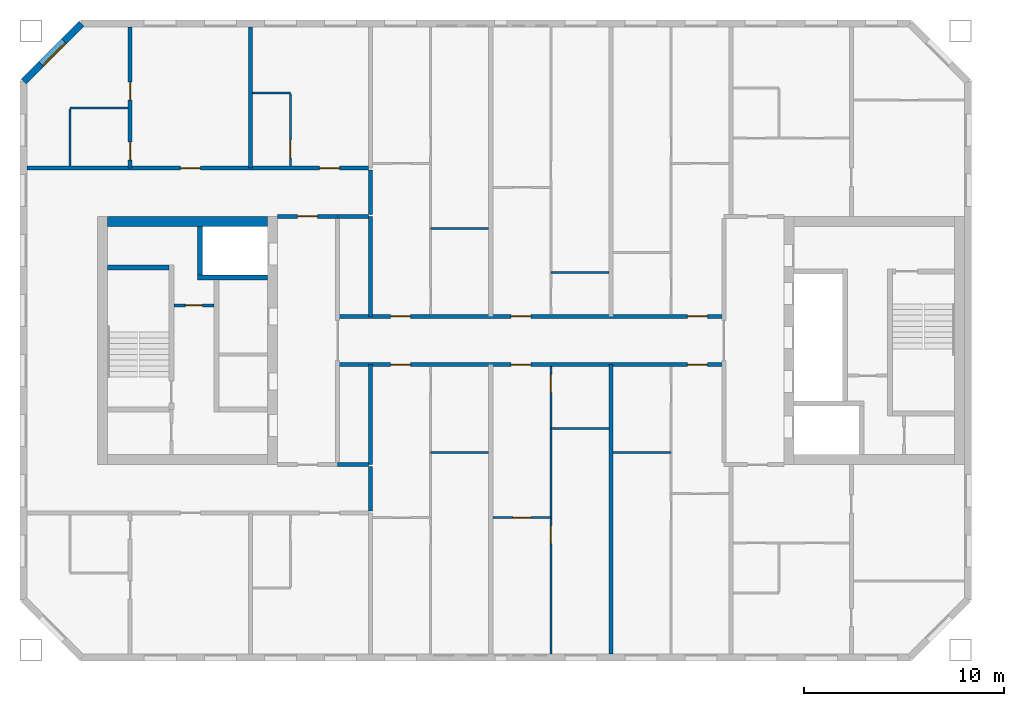
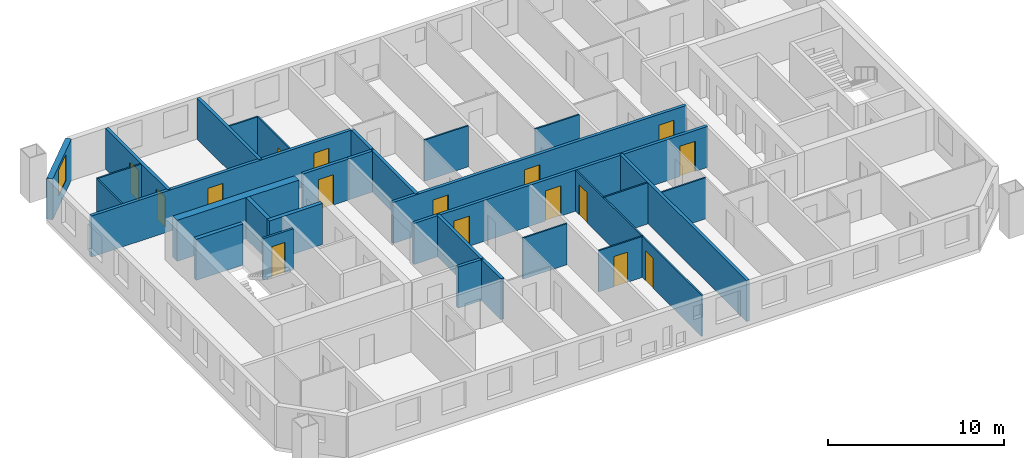
# One storey, part 4 of 15: 30 walls, 16 doors, 1 window, 17 openings.
"""IFC4 building model written with IfcOpenShell, lengths in metres."""

from ifc_helpers import new_model, si_unit, direction, frame, frame_2d, origin, place, context, subcontext, project, spatial, rectangle, extrude, material, layer, layer_set, type_object, element, fill, save


model = new_model("IFC4")

# Units and contexts
model_context = context("Model", 3, precision=1e-05, world=origin(), true_north=direction((0.0, 1.0)))
body_context = subcontext(model_context, "Body", "Model", "MODEL_VIEW")
ifc_project = project(units=[si_unit("LENGTHUNIT", "METRE"), si_unit("AREAUNIT", "SQUARE_METRE"), si_unit("VOLUMEUNIT", "CUBIC_METRE"), si_unit("PLANEANGLEUNIT", "RADIAN"), si_unit("MASSUNIT", "GRAM", prefix="KILO")], contexts=[model_context])

# Site, building, storey
site_placement = place(None, origin())
site = spatial("IfcSite", under=ifc_project, at=site_placement, CompositionType="ELEMENT")
building_placement = place(site_placement, origin())
building = spatial("IfcBuilding", under=site, at=building_placement, Name="Tuart Gate Housing", CompositionType="ELEMENT")
storey_placement = place(building_placement, frame((0.0, 0.0, 164.0)))
storey = spatial("IfcBuildingStorey", under=building, at=storey_placement, Name="L46", CompositionType="ELEMENT", Elevation=164.0)

# Wall, opening, window
ifc_material_1 = material(Name="Brick", Category="masonry")
ifc_layer_1 = layer(ifc_material_1, 0.360107421875)
ifc_layer_set_1 = layer_set([ifc_layer_1], Name="Brick pier and spandrel wall 360")
wall_type_1 = type_object("IfcWallType", Name="Brick pier and spandrel wall 360", PredefinedType="STANDARD", material=ifc_layer_set_1)
wall_1_placement = place(storey_placement, frame((31.57470703125, 85.820068359375, 0.0), z_axis=(0.0, 0.0, 1.0), x_axis=(-0.707106781187, -0.707106781187, 0.0)))
wall_1 = element("IfcWall", 1, at=wall_1_placement, inside=storey, type_object=wall_type_1, Name="External wall A-NW L46", PredefinedType="STANDARD", context=body_context, shape_type="SweptSolid", body=[
    extrude(rectangle(XDim=4.09375, YDim=0.360107421875, at=frame_2d((2.046875, 0.0))), origin(), (0.0, 0.0, 1.0), 2.85009765625),
])
opening_1_placement = place(wall_1_placement, frame((1.2470703125, 0.0, 0.800048828125)))
opening_1 = element("IfcOpeningElement", 2, at=opening_1_placement, cuts=wall_1, Name="Opening W1", PredefinedType="OPENING", context=body_context, shape_type="SweptSolid", body=[
    extrude(rectangle(XDim=1.60009765625, YDim=1.800048828125, at=frame_2d((0.800048828125, 0.89990234375))), frame((0.0, 0.18994140625, 0.0), z_axis=(0.0, -1.0, 0.0), x_axis=(1.0, 0.0, 0.0)), (0.0, 0.0, 1.0), 0.380126953125),
])
ifc_material_2 = material(Name="Aluminium frame with clear glass", Category="aluminium")
window_type = type_object("IfcWindowType", Name="Punched window 1600 x 1800", PartitioningType="SINGLE_PANEL", PredefinedType="WINDOW", material=ifc_material_2)
window_placement = place(opening_1_placement, origin())
window = element("IfcWindow", 3, at=window_placement, inside=storey, type_object=window_type, Name="Window W1", OverallHeight=1.800048828125, OverallWidth=1.60009765625, PartitioningType="SINGLE_PANEL", PredefinedType="WINDOW", context=body_context, shape_type="SweptSolid", body=[
    extrude(rectangle(XDim=1.60009765625, YDim=1.800048828125, at=frame_2d((0.800048828125, 0.89990234375))), frame((0.0, 0.150146484375, 0.0), z_axis=(0.0, -1.0, 0.0), x_axis=(1.0, 0.0, 0.0)), (0.0, 0.0, 1.0), 0.06005859375),
])
fill(opening_1, window)

# Wall, opening, door
ifc_material_3 = material(Name="Plasterboard partition")
ifc_layer_2 = layer(ifc_material_3, 0.14990234375)
ifc_layer_set_2 = layer_set([ifc_layer_2], Name="Core partition 150")
wall_type_2 = type_object("IfcWallType", Name="Core partition 150", PredefinedType="PARTITIONING", material=ifc_layer_set_2)
wall_2_placement = place(storey_placement, frame((38.18505859375, 71.75, 0.0), z_axis=(0.0, 0.0, 1.0), x_axis=(-1.0, 0.0, 0.0)))
wall_2 = element("IfcWall", 4, at=wall_2_placement, inside=storey, type_object=wall_type_2, Name="Core partition AK.3", PredefinedType="PARTITIONING", context=body_context, shape_type="SweptSolid", body=[
    extrude(rectangle(XDim=2.0, YDim=0.14990234375, at=frame_2d((1.0, 0.0))), origin(), (0.0, 0.0, 1.0), 2.85009765625),
])
opening_2_placement = place(wall_2_placement, frame((0.574951171875, 0.0, 0.0)))
opening_2 = element("IfcOpeningElement", 5, at=opening_2_placement, cuts=wall_2, Name="Opening D1644", PredefinedType="OPENING", context=body_context, shape_type="SweptSolid", body=[
    extrude(rectangle(XDim=0.85009765625, YDim=2.10009765625, at=frame_2d((0.425048828125, 1.050048828125))), frame((0.0, 0.0849609375, 0.0), z_axis=(0.0, -1.0, 0.0), x_axis=(1.0, 0.0, 0.0)), (0.0, 0.0, 1.0), 0.169921875),
])
ifc_material_4 = material(Name="Steel fire door", Category="steel")
door_type_1 = type_object("IfcDoorType", Name="Riser door 850 x 2100 RH", OperationType="SINGLE_SWING_RIGHT", PredefinedType="DOOR", material=ifc_material_4)
door_1_placement = place(opening_2_placement, frame((0.85009765625, 0.0, 0.0), z_axis=(0.0, 0.0, 1.0), x_axis=(-1.0, 0.0, 0.0)))
door_1 = element("IfcDoor", 6, at=door_1_placement, inside=storey, type_object=door_type_1, Name="Service room door AK.E1", OperationType="SINGLE_SWING_RIGHT", OverallHeight=2.10009765625, OverallWidth=0.85009765625, PredefinedType="DOOR", context=body_context, shape_type="SweptSolid", body=[
    extrude(rectangle(XDim=0.85009765625, YDim=2.10009765625, at=frame_2d((0.425048828125, 1.050048828125))), frame((0.0, 0.025146484375, 0.0), z_axis=(0.0, -1.0, 0.0), x_axis=(1.0, 0.0, 0.0)), (0.0, 0.0, 1.0), 0.050048828125),
])
fill(opening_2, door_1)

# Walls
ifc_material_5 = material(Name="Concrete C40", Category="concrete")
ifc_layer_3 = layer(ifc_material_5, 0.25)
ifc_layer_set_3 = layer_set([ifc_layer_3], Name="Core wall 250 C40")
wall_type_3 = type_object("IfcWallType", Name="Core wall 250 C40", PredefinedType="SHEAR", material=ifc_layer_set_3)
wall_3_placement = place(storey_placement, frame((35.93505859375, 73.64990234375, 0.0), z_axis=(0.0, 0.0, 1.0), x_axis=(-1.0, 0.0, 0.0)))
element("IfcWall", 7, at=wall_3_placement, inside=storey, type_object=wall_type_3, Name="Core wall AK.1", PredefinedType="SHEAR", context=body_context, shape_type="SweptSolid", body=[
    extrude(rectangle(XDim=3.074951171875, YDim=0.25, at=frame_2d((1.53759765625, 0.0))), origin(), (0.0, 0.0, 1.0), 2.85009765625),
])
wall_4_placement = place(storey_placement, frame((40.860107421875, 73.14990234375, 0.0), z_axis=(0.0, 0.0, 1.0), x_axis=(-1.0, 0.0, 0.0)))
element("IfcWall", 8, at=wall_4_placement, inside=storey, type_object=wall_type_3, Name="Core wall AK.2", PredefinedType="SHEAR", context=body_context, shape_type="SweptSolid", body=[
    extrude(rectangle(XDim=3.4951171875, YDim=0.25, at=frame_2d((1.74755859375, 0.0))), origin(), (0.0, 0.0, 1.0), 2.85009765625),
])
wall_5_placement = place(storey_placement, frame((37.489990234375, 75.699951171875, 0.0), z_axis=(0.0, 0.0, 1.0), x_axis=(0.0, -1.0, 0.0)))
element("IfcWall", 9, at=wall_5_placement, inside=storey, type_object=wall_type_3, Name="Core wall AK.8", PredefinedType="SHEAR", context=body_context, shape_type="SweptSolid", body=[
    extrude(rectangle(XDim=2.425048828125, YDim=0.25, at=frame_2d((1.21240234375, 0.0))), origin(), (0.0, 0.0, 1.0), 2.85009765625),
])
ifc_material_6 = material(Name="Concrete C40", Category="concrete")
ifc_layer_4 = layer(ifc_material_6, 0.5)
ifc_layer_set_4 = layer_set([ifc_layer_4], Name="Core wall 500 C40")
wall_type_4 = type_object("IfcWallType", Name="Core wall 500 C40", PredefinedType="SHEAR", material=ifc_layer_set_4)
wall_6_placement = place(storey_placement, frame((40.860107421875, 75.949951171875, 0.0), z_axis=(0.0, 0.0, 1.0), x_axis=(-1.0, 0.0, 0.0)))
element("IfcWall", 10, at=wall_6_placement, inside=storey, type_object=wall_type_4, Name="Core wall AK south", PredefinedType="SHEAR", context=body_context, shape_type="SweptSolid", body=[
    extrude(rectangle(XDim=8.0, YDim=0.5, at=frame_2d((4.0, 0.0))), origin(), (0.0, 0.0, 1.0), 2.85009765625),
])
ifc_material_7 = material(Name="Concrete masonry 15 MPa", Category="masonry")
ifc_layer_5 = layer(ifc_material_7, 0.199951171875)
ifc_layer_set_5 = layer_set([ifc_layer_5], Name="Corridor wall masonry 200")
wall_type_5 = type_object("IfcWallType", Name="Corridor wall masonry 200", PredefinedType="PARTITIONING", material=ifc_layer_set_5)
wall_7_placement = place(storey_placement, frame((44.360107421875, 63.800048828125, 0.0), z_axis=(0.0, 0.0, 1.0), x_axis=(1.0, 0.0, 0.0)))
element("IfcWall", 11, at=wall_7_placement, inside=storey, type_object=wall_type_5, Name="Corridor wall masonry 200", PredefinedType="PARTITIONING", context=body_context, shape_type="SweptSolid", body=[
    extrude(rectangle(XDim=1.539794921875, YDim=0.199951171875, at=frame_2d((0.77001953125, 0.0))), origin(), (0.0, 0.0, 1.0), 2.85009765625),
])

# Wall, openings, doors
wall_8_placement = place(storey_placement, frame((44.360107421875, 68.800048828125, 0.0), z_axis=(0.0, 0.0, 1.0), x_axis=(1.0, 0.0, 0.0)))
wall_8 = element("IfcWall", 12, at=wall_8_placement, inside=storey, type_object=wall_type_5, Name="Corridor wall masonry 200", PredefinedType="PARTITIONING", context=body_context, shape_type="SweptSolid", body=[
    extrude(rectangle(XDim=19.27978515625, YDim=0.199951171875, at=frame_2d((9.639892578125, 0.0))), origin(), (0.0, 0.0, 1.0), 2.85009765625),
])
opening_3_placement = place(wall_8_placement, frame((17.4599609375, 0.0, 0.0)))
opening_3 = element("IfcOpeningElement", 13, at=opening_3_placement, cuts=wall_8, Name="Opening D1655", PredefinedType="OPENING", context=body_context, shape_type="SweptSolid", body=[
    extrude(rectangle(XDim=1.0, YDim=2.10009765625, at=frame_2d((0.5, 1.050048828125))), frame((0.0, 0.10986328125, 0.0), z_axis=(0.0, -1.0, 0.0), x_axis=(1.0, 0.0, 0.0)), (0.0, 0.0, 1.0), 0.219970703125),
])
opening_4_placement = place(wall_8_placement, frame((8.639892578125, 0.0, 0.0)))
opening_4 = element("IfcOpeningElement", 14, at=opening_4_placement, cuts=wall_8, Name="Opening D1656", PredefinedType="OPENING", context=body_context, shape_type="SweptSolid", body=[
    extrude(rectangle(XDim=1.0, YDim=2.10009765625, at=frame_2d((0.5, 1.050048828125))), frame((0.0, 0.10986328125, 0.0), z_axis=(0.0, -1.0, 0.0), x_axis=(1.0, 0.0, 0.0)), (0.0, 0.0, 1.0), 0.219970703125),
])
opening_5_placement = place(wall_8_placement, frame((2.639892578125, 0.0, 0.0)))
opening_5 = element("IfcOpeningElement", 15, at=opening_5_placement, cuts=wall_8, Name="Opening D1657", PredefinedType="OPENING", context=body_context, shape_type="SweptSolid", body=[
    extrude(rectangle(XDim=1.0, YDim=2.10009765625, at=frame_2d((0.5, 1.050048828125))), frame((0.0, 0.10986328125, 0.0), z_axis=(0.0, -1.0, 0.0), x_axis=(1.0, 0.0, 0.0)), (0.0, 0.0, 1.0), 0.219970703125),
])
ifc_material_8 = material(Name="Timber door leaf in steel frame", Category="steel")
door_type_2 = type_object("IfcDoorType", Name="Flat entrance door 1000 RH", OperationType="SINGLE_SWING_RIGHT", PredefinedType="DOOR", material=ifc_material_8)
door_2_placement = place(opening_3_placement, frame((1.0, 0.0, 0.0), z_axis=(0.0, 0.0, 1.0), x_axis=(-1.0, 0.0, 0.0)))
door_2 = element("IfcDoor", 16, at=door_2_placement, inside=storey, type_object=door_type_2, Name="Flat entrance door", OperationType="SINGLE_SWING_RIGHT", OverallHeight=2.10009765625, OverallWidth=1.0, PredefinedType="DOOR", context=body_context, shape_type="SweptSolid", body=[
    extrude(rectangle(XDim=1.0, YDim=2.10009765625, at=frame_2d((0.5, 1.050048828125))), frame((0.0, 0.025146484375, 0.0), z_axis=(0.0, -1.0, 0.0), x_axis=(1.0, 0.0, 0.0)), (0.0, 0.0, 1.0), 0.050048828125),
])
fill(opening_3, door_2)
door_3_placement = place(opening_4_placement, frame((1.0, 0.0, 0.0), z_axis=(0.0, 0.0, 1.0), x_axis=(-1.0, 0.0, 0.0)))
door_3 = element("IfcDoor", 17, at=door_3_placement, inside=storey, type_object=door_type_2, Name="Flat entrance door", OperationType="SINGLE_SWING_RIGHT", OverallHeight=2.10009765625, OverallWidth=1.0, PredefinedType="DOOR", context=body_context, shape_type="SweptSolid", body=[
    extrude(rectangle(XDim=1.0, YDim=2.10009765625, at=frame_2d((0.5, 1.050048828125))), frame((0.0, 0.025146484375, 0.0), z_axis=(0.0, -1.0, 0.0), x_axis=(1.0, 0.0, 0.0)), (0.0, 0.0, 1.0), 0.050048828125),
])
fill(opening_4, door_3)
door_4_placement = place(opening_5_placement, frame((1.0, 0.0, 0.0), z_axis=(0.0, 0.0, 1.0), x_axis=(-1.0, 0.0, 0.0)))
door_4 = element("IfcDoor", 18, at=door_4_placement, inside=storey, type_object=door_type_2, Name="Flat entrance door", OperationType="SINGLE_SWING_RIGHT", OverallHeight=2.10009765625, OverallWidth=1.0, PredefinedType="DOOR", context=body_context, shape_type="SweptSolid", body=[
    extrude(rectangle(XDim=1.0, YDim=2.10009765625, at=frame_2d((0.5, 1.050048828125))), frame((0.0, 0.025146484375, 0.0), z_axis=(0.0, -1.0, 0.0), x_axis=(1.0, 0.0, 0.0)), (0.0, 0.0, 1.0), 0.050048828125),
])
fill(opening_5, door_4)

wall_9_placement = place(storey_placement, frame((44.360107421875, 71.199951171875, 0.0), z_axis=(0.0, 0.0, 1.0), x_axis=(1.0, 0.0, 0.0)))
wall_9 = element("IfcWall", 19, at=wall_9_placement, inside=storey, type_object=wall_type_5, Name="Corridor wall masonry 200", PredefinedType="PARTITIONING", context=body_context, shape_type="SweptSolid", body=[
    extrude(rectangle(XDim=19.27978515625, YDim=0.199951171875, at=frame_2d((9.639892578125, 0.0))), origin(), (0.0, 0.0, 1.0), 2.85009765625),
])
opening_6_placement = place(wall_9_placement, frame((17.4599609375, 0.0, 0.0)))
opening_6 = element("IfcOpeningElement", 20, at=opening_6_placement, cuts=wall_9, Name="Opening D1645", PredefinedType="OPENING", context=body_context, shape_type="SweptSolid", body=[
    extrude(rectangle(XDim=1.0, YDim=2.10009765625, at=frame_2d((0.5, 1.050048828125))), frame((0.0, 0.10986328125, 0.0), z_axis=(0.0, -1.0, 0.0), x_axis=(1.0, 0.0, 0.0)), (0.0, 0.0, 1.0), 0.219970703125),
])
opening_7_placement = place(wall_9_placement, frame((8.639892578125, 0.0, 0.0)))
opening_7 = element("IfcOpeningElement", 21, at=opening_7_placement, cuts=wall_9, Name="Opening D1646", PredefinedType="OPENING", context=body_context, shape_type="SweptSolid", body=[
    extrude(rectangle(XDim=1.0, YDim=2.10009765625, at=frame_2d((0.5, 1.050048828125))), frame((0.0, 0.10986328125, 0.0), z_axis=(0.0, -1.0, 0.0), x_axis=(1.0, 0.0, 0.0)), (0.0, 0.0, 1.0), 0.219970703125),
])
opening_8_placement = place(wall_9_placement, frame((2.639892578125, 0.0, 0.0)))
opening_8 = element("IfcOpeningElement", 22, at=opening_8_placement, cuts=wall_9, Name="Opening D1647", PredefinedType="OPENING", context=body_context, shape_type="SweptSolid", body=[
    extrude(rectangle(XDim=1.0, YDim=2.10009765625, at=frame_2d((0.5, 1.050048828125))), frame((0.0, 0.10986328125, 0.0), z_axis=(0.0, -1.0, 0.0), x_axis=(1.0, 0.0, 0.0)), (0.0, 0.0, 1.0), 0.219970703125),
])
ifc_material_9 = material(Name="Timber door leaf in steel frame", Category="steel")
door_type_3 = type_object("IfcDoorType", Name="Flat entrance door 1000", OperationType="SINGLE_SWING_LEFT", PredefinedType="DOOR", material=ifc_material_9)
door_5_placement = place(opening_6_placement, origin())
door_5 = element("IfcDoor", 23, at=door_5_placement, inside=storey, type_object=door_type_3, Name="Flat entrance door", OperationType="SINGLE_SWING_LEFT", OverallHeight=2.10009765625, OverallWidth=1.0, PredefinedType="DOOR", context=body_context, shape_type="SweptSolid", body=[
    extrude(rectangle(XDim=1.0, YDim=2.10009765625, at=frame_2d((0.5, 1.050048828125))), frame((0.0, 0.02490234375, 0.0), z_axis=(0.0, -1.0, 0.0), x_axis=(1.0, 0.0, 0.0)), (0.0, 0.0, 1.0), 0.050048828125),
])
fill(opening_6, door_5)
door_6_placement = place(opening_7_placement, origin())
door_6 = element("IfcDoor", 24, at=door_6_placement, inside=storey, type_object=door_type_3, Name="Flat entrance door", OperationType="SINGLE_SWING_LEFT", OverallHeight=2.10009765625, OverallWidth=1.0, PredefinedType="DOOR", context=body_context, shape_type="SweptSolid", body=[
    extrude(rectangle(XDim=1.0, YDim=2.10009765625, at=frame_2d((0.5, 1.050048828125))), frame((0.0, 0.02490234375, 0.0), z_axis=(0.0, -1.0, 0.0), x_axis=(1.0, 0.0, 0.0)), (0.0, 0.0, 1.0), 0.050048828125),
])
fill(opening_7, door_6)
door_7_placement = place(opening_8_placement, origin())
door_7 = element("IfcDoor", 25, at=door_7_placement, inside=storey, type_object=door_type_3, Name="Flat entrance door", OperationType="SINGLE_SWING_LEFT", OverallHeight=2.10009765625, OverallWidth=1.0, PredefinedType="DOOR", context=body_context, shape_type="SweptSolid", body=[
    extrude(rectangle(XDim=1.0, YDim=2.10009765625, at=frame_2d((0.5, 1.050048828125))), frame((0.0, 0.02490234375, 0.0), z_axis=(0.0, -1.0, 0.0), x_axis=(1.0, 0.0, 0.0)), (0.0, 0.0, 1.0), 0.050048828125),
])
fill(opening_8, door_7)

# Wall
wall_10_placement = place(storey_placement, frame((44.360107421875, 76.199951171875, 0.0), z_axis=(0.0, 0.0, 1.0), x_axis=(1.0, 0.0, 0.0)))
element("IfcWall", 26, at=wall_10_placement, inside=storey, type_object=wall_type_5, Name="Corridor wall masonry 200", PredefinedType="PARTITIONING", context=body_context, shape_type="SweptSolid", body=[
    extrude(rectangle(XDim=1.539794921875, YDim=0.199951171875, at=frame_2d((0.77001953125, 0.0))), origin(), (0.0, 0.0, 1.0), 2.85009765625),
])

# Wall, openings, doors
wall_11_placement = place(storey_placement, frame((28.860107421875, 78.60009765625, 0.0), z_axis=(0.0, 0.0, 1.0), x_axis=(1.0, 0.0, 0.0)))
wall_11 = element("IfcWall", 27, at=wall_11_placement, inside=storey, type_object=wall_type_5, Name="Corridor wall masonry 200", PredefinedType="PARTITIONING", context=body_context, shape_type="SweptSolid", body=[
    extrude(rectangle(XDim=17.039794921875, YDim=0.199951171875, at=frame_2d((8.52001953125, 0.0))), origin(), (0.0, 0.0, 1.0), 2.85009765625),
])
opening_9_placement = place(wall_11_placement, frame((14.590087890625, 0.0, 0.0)))
opening_9 = element("IfcOpeningElement", 28, at=opening_9_placement, cuts=wall_11, Name="Opening D1632", PredefinedType="OPENING", context=body_context, shape_type="SweptSolid", body=[
    extrude(rectangle(XDim=1.0, YDim=2.10009765625, at=frame_2d((0.5, 1.050048828125))), frame((0.0, 0.10986328125, 0.0), z_axis=(0.0, -1.0, 0.0), x_axis=(1.0, 0.0, 0.0)), (0.0, 0.0, 1.0), 0.219970703125),
])
opening_10_placement = place(wall_11_placement, frame((7.639892578125, 0.0, 0.0)))
opening_10 = element("IfcOpeningElement", 29, at=opening_10_placement, cuts=wall_11, Name="Opening D1633", PredefinedType="OPENING", context=body_context, shape_type="SweptSolid", body=[
    extrude(rectangle(XDim=1.0, YDim=2.10009765625, at=frame_2d((0.5, 1.050048828125))), frame((0.0, 0.10986328125, 0.0), z_axis=(0.0, -1.0, 0.0), x_axis=(1.0, 0.0, 0.0)), (0.0, 0.0, 1.0), 0.219970703125),
])
door_8_placement = place(opening_9_placement, origin())
door_8 = element("IfcDoor", 30, at=door_8_placement, inside=storey, type_object=door_type_3, Name="Flat entrance door", OperationType="SINGLE_SWING_LEFT", OverallHeight=2.10009765625, OverallWidth=1.0, PredefinedType="DOOR", context=body_context, shape_type="SweptSolid", body=[
    extrude(rectangle(XDim=1.0, YDim=2.10009765625, at=frame_2d((0.5, 1.050048828125))), frame((0.0, 0.02490234375, 0.0), z_axis=(0.0, -1.0, 0.0), x_axis=(1.0, 0.0, 0.0)), (0.0, 0.0, 1.0), 0.050048828125),
])
fill(opening_9, door_8)
door_9_placement = place(opening_10_placement, origin())
door_9 = element("IfcDoor", 31, at=door_9_placement, inside=storey, type_object=door_type_3, Name="Flat entrance door", OperationType="SINGLE_SWING_LEFT", OverallHeight=2.10009765625, OverallWidth=1.0, PredefinedType="DOOR", context=body_context, shape_type="SweptSolid", body=[
    extrude(rectangle(XDim=1.0, YDim=2.10009765625, at=frame_2d((0.5, 1.050048828125))), frame((0.0, 0.02490234375, 0.0), z_axis=(0.0, -1.0, 0.0), x_axis=(1.0, 0.0, 0.0)), (0.0, 0.0, 1.0), 0.050048828125),
])
fill(opening_10, door_9)

# Walls
for number, where, z_axis, x_axis, name in (
    (32, (46.0, 61.5, 0.0), (0.0, 0.0, 1.0), (0.0, 1.0, 0.0), "Corridor wall masonry 200"),
    (33, (46.0, 76.300048828125, 0.0), (0.0, 0.0, 1.0), (0.0, 1.0, 0.0), "Corridor wall masonry 200"),
):
    element("IfcWall", number, at=place(storey_placement, frame(where, z_axis=z_axis, x_axis=x_axis)), inside=storey, type_object=wall_type_5, Name=name, PredefinedType="PARTITIONING", context=body_context, shape_type="SweptSolid", body=[
        extrude(rectangle(XDim=2.199951171875, YDim=0.199951171875, at=frame_2d((1.10009765625, 0.0))), origin(), (0.0, 0.0, 1.0), 2.85009765625),
    ])

# Wall, opening, door
ifc_material_10 = material(Name="Concrete masonry 15 MPa", Category="masonry")
ifc_layer_6 = layer(ifc_material_10, 0.199951171875)
ifc_layer_set_6 = layer_set([ifc_layer_6], Name="Enclosure wall masonry 200")
wall_type_6 = type_object("IfcWallType", Name="Enclosure wall masonry 200", PredefinedType="PARTITIONING", material=ifc_layer_set_6)
wall_12_placement = place(storey_placement, frame((41.360107421875, 76.199951171875, 0.0), z_axis=(0.0, 0.0, 1.0), x_axis=(1.0, 0.0, 0.0)))
wall_12 = element("IfcWall", 34, at=wall_12_placement, inside=storey, type_object=wall_type_6, Name="Enclosure wall masonry 200", PredefinedType="PARTITIONING", context=body_context, shape_type="SweptSolid", body=[
    extrude(rectangle(XDim=3.0, YDim=0.199951171875, at=frame_2d((1.5, 0.0))), origin(), (0.0, 0.0, 1.0), 2.85009765625),
])
opening_11_placement = place(wall_12_placement, frame((1.0, 0.0, 0.0)))
opening_11 = element("IfcOpeningElement", 35, at=opening_11_placement, cuts=wall_12, Name="Opening D1641", PredefinedType="OPENING", context=body_context, shape_type="SweptSolid", body=[
    extrude(rectangle(XDim=1.0, YDim=2.10009765625, at=frame_2d((0.5, 1.050048828125))), frame((0.0, 0.10986328125, 0.0), z_axis=(0.0, -1.0, 0.0), x_axis=(1.0, 0.0, 0.0)), (0.0, 0.0, 1.0), 0.219970703125),
])
ifc_material_11 = material(Name="Timber door leaf in steel frame", Category="steel")
door_type_4 = type_object("IfcDoorType", Name="Fire door 1000 RH", OperationType="SINGLE_SWING_RIGHT", PredefinedType="DOOR", material=ifc_material_11)
door_10_placement = place(opening_11_placement, origin())
door_10 = element("IfcDoor", 36, at=door_10_placement, inside=storey, type_object=door_type_4, Name="Fire door", OperationType="SINGLE_SWING_RIGHT", OverallHeight=2.10009765625, OverallWidth=1.0, PredefinedType="DOOR", context=body_context, shape_type="SweptSolid", body=[
    extrude(rectangle(XDim=1.0, YDim=2.10009765625, at=frame_2d((0.5, 1.050048828125))), frame((0.0, 0.02490234375, 0.0), z_axis=(0.0, -1.0, 0.0), x_axis=(1.0, 0.0, 0.0)), (0.0, 0.0, 1.0), 0.050048828125),
])
fill(opening_11, door_10)

ifc_material_12 = material(Name="Gypsum board on steel studs", Category="steel")
ifc_layer_7 = layer(ifc_material_12, 0.10009765625)
ifc_layer_set_7 = layer_set([ifc_layer_7], Name="Partition 100")
wall_type_7 = type_object("IfcWallType", Name="Partition 100", PredefinedType="PARTITIONING", material=ifc_layer_set_7)
wall_13_placement = place(storey_placement, frame((52.10009765625, 61.159912109375, 0.0), z_axis=(0.0, 0.0, 1.0), x_axis=(1.0, 0.0, 0.0)))
wall_13 = element("IfcWall", 37, at=wall_13_placement, inside=storey, type_object=wall_type_7, Name="Partition 100", PredefinedType="PARTITIONING", context=body_context, shape_type="SweptSolid", body=[
    extrude(rectangle(XDim=2.89990234375, YDim=0.10009765625, at=frame_2d((1.449951171875, 0.0))), origin(), (0.0, 0.0, 1.0), 2.85009765625),
])
opening_12_placement = place(wall_13_placement, frame((1.0, 0.0, 0.0)))
opening_12 = element("IfcOpeningElement", 38, at=opening_12_placement, cuts=wall_13, Name="Opening D1673", PredefinedType="OPENING", context=body_context, shape_type="SweptSolid", body=[
    extrude(rectangle(XDim=0.89990234375, YDim=2.10009765625, at=frame_2d((0.449951171875, 1.050048828125))), frame((0.0, 0.06005859375, 0.0), z_axis=(0.0, -1.0, 0.0), x_axis=(1.0, 0.0, 0.0)), (0.0, 0.0, 1.0), 0.1201171875),
])
ifc_material_13 = material(Name="Timber door leaf in steel frame", Category="steel")
door_type_5 = type_object("IfcDoorType", Name="Internal door 900 RH", OperationType="SINGLE_SWING_RIGHT", PredefinedType="DOOR", material=ifc_material_13)
door_11_placement = place(opening_12_placement, origin())
door_11 = element("IfcDoor", 39, at=door_11_placement, inside=storey, type_object=door_type_5, Name="Internal door", OperationType="SINGLE_SWING_RIGHT", OverallHeight=2.10009765625, OverallWidth=0.89990234375, PredefinedType="DOOR", context=body_context, shape_type="SweptSolid", body=[
    extrude(rectangle(XDim=0.89990234375, YDim=2.10009765625, at=frame_2d((0.449951171875, 1.050048828125))), frame((0.0, 0.02490234375, 0.0), z_axis=(0.0, -1.0, 0.0), x_axis=(1.0, 0.0, 0.0)), (0.0, 0.0, 1.0), 0.050048828125),
])
fill(opening_12, door_11)

# Walls
for number, where, z_axis, x_axis, name in (
    (40, (49.0, 64.39990234375, 0.0), (0.0, 0.0, 1.0), (1.0, 0.0, 0.0), "Partition 100"),
    (41, (58.10009765625, 64.39990234375, 0.0), (0.0, 0.0, 1.0), (1.0, 0.0, 0.0), "Partition 100"),
    (42, (55.0, 65.60009765625, 0.0), (0.0, 0.0, 1.0), (1.0, 0.0, 0.0), "Partition 100"),
    (43, (55.0, 73.39990234375, 0.0), (0.0, 0.0, 1.0), (1.0, 0.0, 0.0), "Partition 100"),
    (44, (49.0, 75.60009765625, 0.0), (0.0, 0.0, 1.0), (1.0, 0.0, 0.0), "Partition 100"),
    (45, (31.0, 81.60009765625, 0.0), (0.0, 0.0, 1.0), (1.0, 0.0, 0.0), "Partition 100"),
):
    element("IfcWall", number, at=place(storey_placement, frame(where, z_axis=z_axis, x_axis=x_axis)), inside=storey, type_object=wall_type_7, Name=name, PredefinedType="PARTITIONING", context=body_context, shape_type="SweptSolid", body=[
        extrude(rectangle(XDim=2.89990234375, YDim=0.10009765625, at=frame_2d((1.449951171875, 0.0))), origin(), (0.0, 0.0, 1.0), 2.85009765625),
    ])
wall_14_placement = place(storey_placement, frame((40.10009765625, 82.35009765625, 0.0), z_axis=(0.0, 0.0, 1.0), x_axis=(1.0, 0.0, 0.0)))
element("IfcWall", 46, at=wall_14_placement, inside=storey, type_object=wall_type_7, Name="Partition 100", PredefinedType="PARTITIONING", context=body_context, shape_type="SweptSolid", body=[
    extrude(rectangle(XDim=1.89990234375, YDim=0.10009765625, at=frame_2d((0.949951171875, 0.0))), origin(), (0.0, 0.0, 1.0), 2.85009765625),
])
wall_15_placement = place(storey_placement, frame((31.0, 78.699951171875, 0.0), z_axis=(0.0, 0.0, 1.0), x_axis=(0.0, 1.0, 0.0)))
element("IfcWall", 47, at=wall_15_placement, inside=storey, type_object=wall_type_7, Name="Partition 100", PredefinedType="PARTITIONING", context=body_context, shape_type="SweptSolid", body=[
    extrude(rectangle(XDim=2.85009765625, YDim=0.10009765625, at=frame_2d((1.425048828125, 0.0))), origin(), (0.0, 0.0, 1.0), 2.85009765625),
])

# Wall, opening, door
wall_16_placement = place(storey_placement, frame((42.0, 78.699951171875, 0.0), z_axis=(0.0, 0.0, 1.0), x_axis=(0.0, 1.0, 0.0)))
wall_16 = element("IfcWall", 48, at=wall_16_placement, inside=storey, type_object=wall_type_7, Name="Partition 100", PredefinedType="PARTITIONING", context=body_context, shape_type="SweptSolid", body=[
    extrude(rectangle(XDim=3.60009765625, YDim=0.10009765625, at=frame_2d((1.800048828125, 0.0))), origin(), (0.0, 0.0, 1.0), 2.85009765625),
])
opening_13_placement = place(wall_16_placement, frame((0.39990234375, 0.0, 0.0)))
opening_13 = element("IfcOpeningElement", 49, at=opening_13_placement, cuts=wall_16, Name="Opening D1627", PredefinedType="OPENING", context=body_context, shape_type="SweptSolid", body=[
    extrude(rectangle(XDim=0.89990234375, YDim=2.10009765625, at=frame_2d((0.449951171875, 1.050048828125))), frame((0.0, 0.06005859375, 0.0), z_axis=(0.0, -1.0, 0.0), x_axis=(1.0, 0.0, 0.0)), (0.0, 0.0, 1.0), 0.1201171875),
])
ifc_material_14 = material(Name="Timber door leaf in steel frame", Category="steel")
door_type_6 = type_object("IfcDoorType", Name="Bathroom door 900", OperationType="SINGLE_SWING_LEFT", PredefinedType="DOOR", material=ifc_material_14)
door_12_placement = place(opening_13_placement, origin())
door_12 = element("IfcDoor", 50, at=door_12_placement, inside=storey, type_object=door_type_6, Name="Bathroom door", OperationType="SINGLE_SWING_LEFT", OverallHeight=2.10009765625, OverallWidth=0.89990234375, PredefinedType="DOOR", context=body_context, shape_type="SweptSolid", body=[
    extrude(rectangle(XDim=0.89990234375, YDim=2.10009765625, at=frame_2d((0.449951171875, 1.050048828125))), frame((0.0, 0.02490234375, 0.0), z_axis=(0.0, -1.0, 0.0), x_axis=(1.0, 0.0, 0.0)), (0.0, 0.0, 1.0), 0.050048828125),
])
fill(opening_13, door_12)

# Wall, openings, doors
wall_17_placement = place(storey_placement, frame((55.0, 54.360107421875, 0.0), z_axis=(0.0, 0.0, 1.0), x_axis=(0.0, 1.0, 0.0)))
wall_17 = element("IfcWall", 51, at=wall_17_placement, inside=storey, type_object=wall_type_7, Name="Partition 100", PredefinedType="PARTITIONING", context=body_context, shape_type="SweptSolid", body=[
    extrude(rectangle(XDim=14.33984375, YDim=0.10009765625, at=frame_2d((7.169921875, 0.0))), origin(), (0.0, 0.0, 1.0), 2.85009765625),
])
opening_14_placement = place(wall_17_placement, frame((5.5, 0.0, 0.0)))
opening_14 = element("IfcOpeningElement", 52, at=opening_14_placement, cuts=wall_17, Name="Opening D1667", PredefinedType="OPENING", context=body_context, shape_type="SweptSolid", body=[
    extrude(rectangle(XDim=0.89990234375, YDim=2.10009765625, at=frame_2d((0.449951171875, 1.050048828125))), frame((0.0, 0.06005859375, 0.0), z_axis=(0.0, -1.0, 0.0), x_axis=(1.0, 0.0, 0.0)), (0.0, 0.0, 1.0), 0.1201171875),
])
opening_15_placement = place(wall_17_placement, frame((13.0400390625, 0.0, 0.0)))
opening_15 = element("IfcOpeningElement", 53, at=opening_15_placement, cuts=wall_17, Name="Opening D1666", PredefinedType="OPENING", context=body_context, shape_type="SweptSolid", body=[
    extrude(rectangle(XDim=0.89990234375, YDim=2.10009765625, at=frame_2d((0.449951171875, 1.050048828125))), frame((0.0, 0.06005859375, 0.0), z_axis=(0.0, -1.0, 0.0), x_axis=(1.0, 0.0, 0.0)), (0.0, 0.0, 1.0), 0.1201171875),
])
door_13_placement = place(opening_15_placement, frame((0.89990234375, 0.0, 0.0), z_axis=(0.0, 0.0, 1.0), x_axis=(-1.0, 0.0, 0.0)))
door_13 = element("IfcDoor", 54, at=door_13_placement, inside=storey, type_object=door_type_6, Name="Bathroom door", OperationType="SINGLE_SWING_LEFT", OverallHeight=2.10009765625, OverallWidth=0.89990234375, PredefinedType="DOOR", context=body_context, shape_type="SweptSolid", body=[
    extrude(rectangle(XDim=0.89990234375, YDim=2.10009765625, at=frame_2d((0.449951171875, 1.050048828125))), frame((0.0, 0.025146484375, 0.0), z_axis=(0.0, -1.0, 0.0), x_axis=(1.0, 0.0, 0.0)), (0.0, 0.0, 1.0), 0.050048828125),
])
fill(opening_15, door_13)
ifc_material_15 = material(Name="Timber door leaf in steel frame", Category="steel")
door_type_7 = type_object("IfcDoorType", Name="Internal door 900", OperationType="SINGLE_SWING_LEFT", PredefinedType="DOOR", material=ifc_material_15)
door_14_placement = place(opening_14_placement, frame((0.89990234375, 0.0, 0.0), z_axis=(0.0, 0.0, 1.0), x_axis=(-1.0, 0.0, 0.0)))
door_14 = element("IfcDoor", 55, at=door_14_placement, inside=storey, type_object=door_type_7, Name="Internal door", OperationType="SINGLE_SWING_LEFT", OverallHeight=2.10009765625, OverallWidth=0.89990234375, PredefinedType="DOOR", context=body_context, shape_type="SweptSolid", body=[
    extrude(rectangle(XDim=0.89990234375, YDim=2.10009765625, at=frame_2d((0.449951171875, 1.050048828125))), frame((0.0, 0.025146484375, 0.0), z_axis=(0.0, -1.0, 0.0), x_axis=(1.0, 0.0, 0.0)), (0.0, 0.0, 1.0), 0.050048828125),
])
fill(opening_14, door_14)

ifc_material_16 = material(Name="Concrete C40", Category="concrete")
ifc_layer_8 = layer(ifc_material_16, 0.199951171875)
ifc_layer_set_8 = layer_set([ifc_layer_8], Name="Party wall concrete C40 200")
wall_type_8 = type_object("IfcWallType", Name="Party wall concrete C40 200", PredefinedType="SOLIDWALL", material=ifc_layer_set_8)
wall_18_placement = place(storey_placement, frame((34.0, 78.60009765625, 0.0), z_axis=(0.0, 0.0, 1.0), x_axis=(0.0, 1.0, 0.0)))
wall_18 = element("IfcWall", 56, at=wall_18_placement, inside=storey, type_object=wall_type_8, Name="Party wall concrete C40 200", PredefinedType="SOLIDWALL", context=body_context, shape_type="SweptSolid", body=[
    extrude(rectangle(XDim=7.039794921875, YDim=0.199951171875, at=frame_2d((3.52001953125, 0.0))), origin(), (0.0, 0.0, 1.0), 2.85009765625),
])
opening_16_placement = place(wall_18_placement, frame((3.39990234375, 0.0, 0.0)))
opening_16 = element("IfcOpeningElement", 57, at=opening_16_placement, cuts=wall_18, Name="Opening D1624", PredefinedType="OPENING", context=body_context, shape_type="SweptSolid", body=[
    extrude(rectangle(XDim=0.89990234375, YDim=2.10009765625, at=frame_2d((0.449951171875, 1.050048828125))), frame((0.0, 0.10986328125, 0.0), z_axis=(0.0, -1.0, 0.0), x_axis=(1.0, 0.0, 0.0)), (0.0, 0.0, 1.0), 0.219970703125),
])
opening_17_placement = place(wall_18_placement, frame((0.39990234375, 0.0, 0.0)))
opening_17 = element("IfcOpeningElement", 58, at=opening_17_placement, cuts=wall_18, Name="Opening D1623", PredefinedType="OPENING", context=body_context, shape_type="SweptSolid", body=[
    extrude(rectangle(XDim=0.89990234375, YDim=2.10009765625, at=frame_2d((0.449951171875, 1.050048828125))), frame((0.0, 0.10986328125, 0.0), z_axis=(0.0, -1.0, 0.0), x_axis=(1.0, 0.0, 0.0)), (0.0, 0.0, 1.0), 0.219970703125),
])
door_15_placement = place(opening_17_placement, origin())
door_15 = element("IfcDoor", 59, at=door_15_placement, inside=storey, type_object=door_type_6, Name="Bathroom door", OperationType="SINGLE_SWING_LEFT", OverallHeight=2.10009765625, OverallWidth=0.89990234375, PredefinedType="DOOR", context=body_context, shape_type="SweptSolid", body=[
    extrude(rectangle(XDim=0.89990234375, YDim=2.10009765625, at=frame_2d((0.449951171875, 1.050048828125))), frame((0.0, 0.02490234375, 0.0), z_axis=(0.0, -1.0, 0.0), x_axis=(1.0, 0.0, 0.0)), (0.0, 0.0, 1.0), 0.050048828125),
])
fill(opening_17, door_15)
door_16_placement = place(opening_16_placement, origin())
door_16 = element("IfcDoor", 60, at=door_16_placement, inside=storey, type_object=door_type_7, Name="Internal door", OperationType="SINGLE_SWING_LEFT", OverallHeight=2.10009765625, OverallWidth=0.89990234375, PredefinedType="DOOR", context=body_context, shape_type="SweptSolid", body=[
    extrude(rectangle(XDim=0.89990234375, YDim=2.10009765625, at=frame_2d((0.449951171875, 1.050048828125))), frame((0.0, 0.02490234375, 0.0), z_axis=(0.0, -1.0, 0.0), x_axis=(1.0, 0.0, 0.0)), (0.0, 0.0, 1.0), 0.050048828125),
])
fill(opening_16, door_16)

# Walls
wall_19_placement = place(storey_placement, frame((40.0, 78.60009765625, 0.0), z_axis=(0.0, 0.0, 1.0), x_axis=(0.0, 1.0, 0.0)))
element("IfcWall", 61, at=wall_19_placement, inside=storey, type_object=wall_type_8, Name="Party wall concrete C40 200", PredefinedType="SOLIDWALL", context=body_context, shape_type="SweptSolid", body=[
    extrude(rectangle(XDim=7.039794921875, YDim=0.199951171875, at=frame_2d((3.52001953125, 0.0))), origin(), (0.0, 0.0, 1.0), 2.85009765625),
])
for number, where, z_axis, x_axis, name in (
    (62, (46.0, 63.800048828125, 0.0), (0.0, 0.0, 1.0), (0.0, 1.0, 0.0), "Party wall concrete C40 200"),
    (63, (46.0, 71.199951171875, 0.0), (0.0, 0.0, 1.0), (0.0, 1.0, 0.0), "Party wall concrete C40 200"),
):
    element("IfcWall", number, at=place(storey_placement, frame(where, z_axis=z_axis, x_axis=x_axis)), inside=storey, type_object=wall_type_8, Name=name, PredefinedType="SOLIDWALL", context=body_context, shape_type="SweptSolid", body=[
        extrude(rectangle(XDim=5.0, YDim=0.199951171875, at=frame_2d((2.5, 0.0))), origin(), (0.0, 0.0, 1.0), 2.85009765625),
    ])
wall_20_placement = place(storey_placement, frame((58.0, 54.360107421875, 0.0), z_axis=(0.0, 0.0, 1.0), x_axis=(0.0, 1.0, 0.0)))
element("IfcWall", 64, at=wall_20_placement, inside=storey, type_object=wall_type_8, Name="Party wall concrete C40 200", PredefinedType="SOLIDWALL", context=body_context, shape_type="SweptSolid", body=[
    extrude(rectangle(XDim=14.43994140625, YDim=0.199951171875, at=frame_2d((7.219970703125, 0.0))), origin(), (0.0, 0.0, 1.0), 2.85009765625),
])

save(model, "model.ifc")
